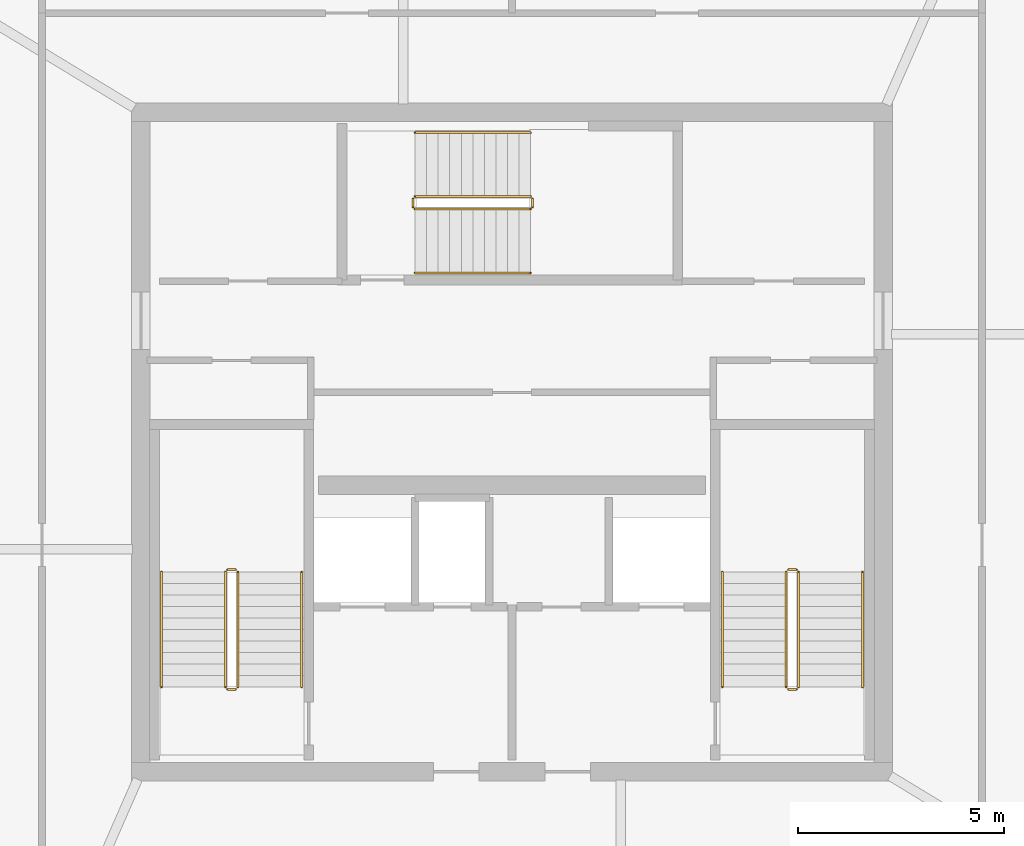
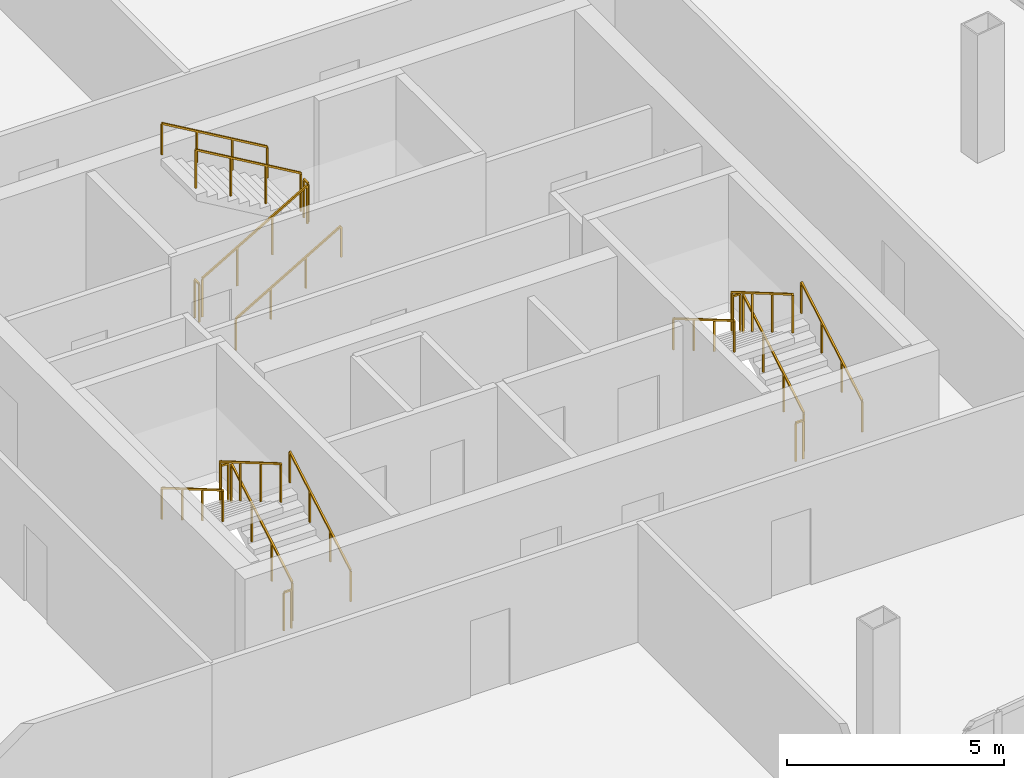
# One storey, part 17 of 17: 18 railings.
"""IFC4 building model written with IfcOpenShell, lengths in metres."""

from ifc_helpers import new_model, si_unit, direction, frame, origin, origin_2d, place, context, subcontext, project, spatial, rectangle, extrude, material, type_object, element, save


model = new_model("IFC4")

# Units and contexts
model_context = context("Model", 3, precision=1e-05, world=origin(), true_north=direction((0.0, 1.0)))
body_context = subcontext(model_context, "Body", "Model", "MODEL_VIEW")
ifc_project = project(units=[si_unit("LENGTHUNIT", "METRE"), si_unit("AREAUNIT", "SQUARE_METRE"), si_unit("VOLUMEUNIT", "CUBIC_METRE"), si_unit("PLANEANGLEUNIT", "RADIAN"), si_unit("MASSUNIT", "GRAM", prefix="KILO")], contexts=[model_context])

# Site, building, storey
site_placement = place(None, origin())
site = spatial("IfcSite", under=ifc_project, at=site_placement, CompositionType="ELEMENT")
building_placement = place(site_placement, origin())
building = spatial("IfcBuilding", under=site, at=building_placement, Name="Haldenkirk Collegiate Tower", CompositionType="ELEMENT")
storey_placement = place(building_placement, frame((0.0, 0.0, 364.199951171875)))
storey = spatial("IfcBuildingStorey", under=building, at=storey_placement, Name="L92", CompositionType="ELEMENT", Elevation=364.199951171875)

# Railings
ifc_material = material(Name="Painted architectural tubular steel", Category="steel")
railing_type_1 = type_object("IfcRailingType", Name="RLG-STAIR-GUARD-1100", PredefinedType="BALUSTRADE", material=ifc_material)
railing_1_placement = place(storey_placement, frame((29.35009765625, 20.050048828125, 0.16357421875)))
element("IfcRailing", 1, at=railing_1_placement, inside=storey, type_object=railing_type_1, Name="L92 ST-1 stair guard 1", PredefinedType="BALUSTRADE", context=body_context, shape_type="SweptSolid", body=[
    extrude(rectangle(XDim=0.048095703125, YDim=0.048095703125, at=origin_2d()), frame((0.0, 0.0, 1.076171875), z_axis=(0.0, 0.863360870873, 0.504586966384), x_axis=(-1.0, 0.0, 0.0)), (0.0, 0.0, 1.0), 3.2431640625),
    extrude(rectangle(XDim=0.0419921875, YDim=0.0419921875, at=origin_2d()), origin(), (0.0, 0.0, 1.0), 1.052001953125),
    extrude(rectangle(XDim=0.0419921875, YDim=0.0419921875, at=origin_2d()), frame((0.0, 0.933349609375, 0.54541015625)), (0.0, 0.0, 1.0), 1.052001953125),
    extrude(rectangle(XDim=0.0419921875, YDim=0.0419921875, at=origin_2d()), frame((0.0, 1.86669921875, 1.091064453125)), (0.0, 0.0, 1.0), 1.052001953125),
    extrude(rectangle(XDim=0.0419921875, YDim=0.0419921875, at=origin_2d()), frame((0.0, 2.800048828125, 1.636474609375)), (0.0, 0.0, 1.0), 1.052001953125),
])
railing_2_placement = place(storey_placement, frame((29.300048828125, 22.89990234375, 1.800048828125)))
element("IfcRailing", 2, at=railing_2_placement, inside=storey, type_object=railing_type_1, Name="L92 ST-1 stair guard 2", PredefinedType="BALUSTRADE", context=body_context, shape_type="SweptSolid", body=[
    extrude(rectangle(XDim=0.048095703125, YDim=0.048095703125, at=origin_2d()), frame((0.0, 0.0, 1.076171875), z_axis=(-1.0, 0.0, 0.0), x_axis=(0.0, -1.0, 0.0)), (0.0, 0.0, 1.0), 0.199951171875),
    extrude(rectangle(XDim=0.0419921875, YDim=0.0419921875, at=origin_2d()), origin(), (0.0, 0.0, 1.0), 1.052001953125),
    extrude(rectangle(XDim=0.0419921875, YDim=0.0419921875, at=origin_2d()), frame((-0.199951171875, 0.0, 0.0)), (0.0, 0.0, 1.0), 1.052001953125),
])
railing_3_placement = place(storey_placement, frame((29.050048828125, 22.85009765625, 1.963623046875)))
element("IfcRailing", 3, at=railing_3_placement, inside=storey, type_object=railing_type_1, Name="L92 ST-1 stair guard 3", PredefinedType="BALUSTRADE", context=body_context, shape_type="SweptSolid", body=[
    extrude(rectangle(XDim=0.048095703125, YDim=0.048095703125, at=origin_2d()), frame((0.0, 0.0, 1.076171875), z_axis=(0.0, -0.863360870873, 0.504586966384), x_axis=(1.0, 0.0, 0.0)), (0.0, 0.0, 1.0), 3.2431640625),
    extrude(rectangle(XDim=0.0419921875, YDim=0.0419921875, at=origin_2d()), origin(), (0.0, 0.0, 1.0), 1.052001953125),
    extrude(rectangle(XDim=0.0419921875, YDim=0.0419921875, at=origin_2d()), frame((0.0, -0.933349609375, 0.54541015625)), (0.0, 0.0, 1.0), 1.052001953125),
    extrude(rectangle(XDim=0.0419921875, YDim=0.0419921875, at=origin_2d()), frame((0.0, -1.86669921875, 1.091064453125)), (0.0, 0.0, 1.0), 1.052001953125),
    extrude(rectangle(XDim=0.0419921875, YDim=0.0419921875, at=origin_2d()), frame((0.0, -2.800048828125, 1.636474609375)), (0.0, 0.0, 1.0), 1.052001953125),
])
railing_4_placement = place(storey_placement, frame((29.300048828125, 20.0, 0.0)))
element("IfcRailing", 4, at=railing_4_placement, inside=storey, type_object=railing_type_1, Name="L92 ST-1 stair guard 4", PredefinedType="BALUSTRADE", context=body_context, shape_type="SweptSolid", body=[
    extrude(rectangle(XDim=0.048095703125, YDim=0.048095703125, at=origin_2d()), frame((0.0, 0.0, 1.076171875), z_axis=(-1.0, 0.0, 0.0), x_axis=(0.0, -1.0, 0.0)), (0.0, 0.0, 1.0), 0.199951171875),
    extrude(rectangle(XDim=0.0419921875, YDim=0.0419921875, at=origin_2d()), origin(), (0.0, 0.0, 1.0), 1.052001953125),
    extrude(rectangle(XDim=0.0419921875, YDim=0.0419921875, at=origin_2d()), frame((-0.199951171875, 0.0, 0.0)), (0.0, 0.0, 1.0), 1.052001953125),
])
railing_5_placement = place(storey_placement, frame((42.949951171875, 20.050048828125, 0.16357421875)))
element("IfcRailing", 5, at=railing_5_placement, inside=storey, type_object=railing_type_1, Name="L92 ST-2 stair guard 1", PredefinedType="BALUSTRADE", context=body_context, shape_type="SweptSolid", body=[
    extrude(rectangle(XDim=0.048095703125, YDim=0.048095703125, at=origin_2d()), frame((0.0, 0.0, 1.076171875), z_axis=(0.0, 0.863360870873, 0.504586966384), x_axis=(-1.0, 0.0, 0.0)), (0.0, 0.0, 1.0), 3.2431640625),
    extrude(rectangle(XDim=0.0419921875, YDim=0.0419921875, at=origin_2d()), origin(), (0.0, 0.0, 1.0), 1.052001953125),
    extrude(rectangle(XDim=0.0419921875, YDim=0.0419921875, at=origin_2d()), frame((0.0, 0.933349609375, 0.54541015625)), (0.0, 0.0, 1.0), 1.052001953125),
    extrude(rectangle(XDim=0.0419921875, YDim=0.0419921875, at=origin_2d()), frame((0.0, 1.86669921875, 1.091064453125)), (0.0, 0.0, 1.0), 1.052001953125),
    extrude(rectangle(XDim=0.0419921875, YDim=0.0419921875, at=origin_2d()), frame((0.0, 2.800048828125, 1.636474609375)), (0.0, 0.0, 1.0), 1.052001953125),
])
railing_6_placement = place(storey_placement, frame((42.89990234375, 22.89990234375, 1.800048828125)))
element("IfcRailing", 6, at=railing_6_placement, inside=storey, type_object=railing_type_1, Name="L92 ST-2 stair guard 2", PredefinedType="BALUSTRADE", context=body_context, shape_type="SweptSolid", body=[
    extrude(rectangle(XDim=0.048095703125, YDim=0.048095703125, at=origin_2d()), frame((0.0, 0.0, 1.076171875), z_axis=(-1.0, 0.0, 0.0), x_axis=(0.0, -1.0, 0.0)), (0.0, 0.0, 1.0), 0.199951171875),
    extrude(rectangle(XDim=0.0419921875, YDim=0.0419921875, at=origin_2d()), origin(), (0.0, 0.0, 1.0), 1.052001953125),
    extrude(rectangle(XDim=0.0419921875, YDim=0.0419921875, at=origin_2d()), frame((-0.199951171875, 0.0, 0.0)), (0.0, 0.0, 1.0), 1.052001953125),
])
railing_7_placement = place(storey_placement, frame((42.64990234375, 22.85009765625, 1.963623046875)))
element("IfcRailing", 7, at=railing_7_placement, inside=storey, type_object=railing_type_1, Name="L92 ST-2 stair guard 3", PredefinedType="BALUSTRADE", context=body_context, shape_type="SweptSolid", body=[
    extrude(rectangle(XDim=0.048095703125, YDim=0.048095703125, at=origin_2d()), frame((0.0, 0.0, 1.076171875), z_axis=(0.0, -0.863360870873, 0.504586966384), x_axis=(1.0, 0.0, 0.0)), (0.0, 0.0, 1.0), 3.2431640625),
    extrude(rectangle(XDim=0.0419921875, YDim=0.0419921875, at=origin_2d()), origin(), (0.0, 0.0, 1.0), 1.052001953125),
    extrude(rectangle(XDim=0.0419921875, YDim=0.0419921875, at=origin_2d()), frame((0.0, -0.933349609375, 0.54541015625)), (0.0, 0.0, 1.0), 1.052001953125),
    extrude(rectangle(XDim=0.0419921875, YDim=0.0419921875, at=origin_2d()), frame((0.0, -1.86669921875, 1.091064453125)), (0.0, 0.0, 1.0), 1.052001953125),
    extrude(rectangle(XDim=0.0419921875, YDim=0.0419921875, at=origin_2d()), frame((0.0, -2.800048828125, 1.636474609375)), (0.0, 0.0, 1.0), 1.052001953125),
])
railing_8_placement = place(storey_placement, frame((42.89990234375, 20.0, 0.0)))
element("IfcRailing", 8, at=railing_8_placement, inside=storey, type_object=railing_type_1, Name="L92 ST-2 stair guard 4", PredefinedType="BALUSTRADE", context=body_context, shape_type="SweptSolid", body=[
    extrude(rectangle(XDim=0.048095703125, YDim=0.048095703125, at=origin_2d()), frame((0.0, 0.0, 1.076171875), z_axis=(-1.0, 0.0, 0.0), x_axis=(0.0, -1.0, 0.0)), (0.0, 0.0, 1.0), 0.199951171875),
    extrude(rectangle(XDim=0.0419921875, YDim=0.0419921875, at=origin_2d()), origin(), (0.0, 0.0, 1.0), 1.052001953125),
    extrude(rectangle(XDim=0.0419921875, YDim=0.0419921875, at=origin_2d()), frame((-0.199951171875, 0.0, 0.0)), (0.0, 0.0, 1.0), 1.052001953125),
])
railing_9_placement = place(storey_placement, frame((33.64990234375, 31.64990234375, 0.16357421875)))
element("IfcRailing", 9, at=railing_9_placement, inside=storey, type_object=railing_type_1, Name="L92 ST-3 stair guard 1", PredefinedType="BALUSTRADE", context=body_context, shape_type="SweptSolid", body=[
    extrude(rectangle(XDim=0.048095703125, YDim=0.048095703125, at=origin_2d()), frame((0.0, 0.0, 1.076171875), z_axis=(0.863360870873, 0.0, 0.504586966384), x_axis=(0.0, 1.0, 0.0)), (0.0, 0.0, 1.0), 3.2431640625),
    extrude(rectangle(XDim=0.0419921875, YDim=0.0419921875, at=origin_2d()), origin(), (0.0, 0.0, 1.0), 1.052001953125),
    extrude(rectangle(XDim=0.0419921875, YDim=0.0419921875, at=origin_2d()), frame((0.933349609375, 0.0, 0.54541015625)), (0.0, 0.0, 1.0), 1.052001953125),
    extrude(rectangle(XDim=0.0419921875, YDim=0.0419921875, at=origin_2d()), frame((1.86669921875, 0.0, 1.091064453125)), (0.0, 0.0, 1.0), 1.052001953125),
    extrude(rectangle(XDim=0.0419921875, YDim=0.0419921875, at=origin_2d()), frame((2.800048828125, 0.0, 1.636474609375)), (0.0, 0.0, 1.0), 1.052001953125),
])
railing_10_placement = place(storey_placement, frame((36.5, 31.699951171875, 1.800048828125)))
element("IfcRailing", 10, at=railing_10_placement, inside=storey, type_object=railing_type_1, Name="L92 ST-3 stair guard 2", PredefinedType="BALUSTRADE", context=body_context, shape_type="SweptSolid", body=[
    extrude(rectangle(XDim=0.048095703125, YDim=0.048095703125, at=origin_2d()), frame((0.0, 0.0, 1.076171875), z_axis=(0.0, 1.0, 0.0), x_axis=(-1.0, 0.0, 0.0)), (0.0, 0.0, 1.0), 0.199951171875),
    extrude(rectangle(XDim=0.0419921875, YDim=0.0419921875, at=origin_2d()), origin(), (0.0, 0.0, 1.0), 1.052001953125),
    extrude(rectangle(XDim=0.0419921875, YDim=0.0419921875, at=origin_2d()), frame((0.0, 0.199951171875, 0.0)), (0.0, 0.0, 1.0), 1.052001953125),
])
railing_11_placement = place(storey_placement, frame((36.449951171875, 31.949951171875, 1.963623046875)))
element("IfcRailing", 11, at=railing_11_placement, inside=storey, type_object=railing_type_1, Name="L92 ST-3 stair guard 3", PredefinedType="BALUSTRADE", context=body_context, shape_type="SweptSolid", body=[
    extrude(rectangle(XDim=0.048095703125, YDim=0.048095703125, at=origin_2d()), frame((0.0, 0.0, 1.076171875), z_axis=(-0.863360870873, 0.0, 0.504586966384), x_axis=(0.0, -1.0, 0.0)), (0.0, 0.0, 1.0), 3.2431640625),
    extrude(rectangle(XDim=0.0419921875, YDim=0.0419921875, at=origin_2d()), origin(), (0.0, 0.0, 1.0), 1.052001953125),
    extrude(rectangle(XDim=0.0419921875, YDim=0.0419921875, at=origin_2d()), frame((-0.933349609375, 0.0, 0.54541015625)), (0.0, 0.0, 1.0), 1.052001953125),
    extrude(rectangle(XDim=0.0419921875, YDim=0.0419921875, at=origin_2d()), frame((-1.86669921875, 0.0, 1.091064453125)), (0.0, 0.0, 1.0), 1.052001953125),
    extrude(rectangle(XDim=0.0419921875, YDim=0.0419921875, at=origin_2d()), frame((-2.800048828125, 0.0, 1.636474609375)), (0.0, 0.0, 1.0), 1.052001953125),
])
railing_12_placement = place(storey_placement, frame((33.60009765625, 31.699951171875, 0.0)))
element("IfcRailing", 12, at=railing_12_placement, inside=storey, type_object=railing_type_1, Name="L92 ST-3 stair guard 4", PredefinedType="BALUSTRADE", context=body_context, shape_type="SweptSolid", body=[
    extrude(rectangle(XDim=0.048095703125, YDim=0.048095703125, at=origin_2d()), frame((0.0, 0.0, 1.076171875), z_axis=(0.0, 1.0, 0.0), x_axis=(-1.0, 0.0, 0.0)), (0.0, 0.0, 1.0), 0.199951171875),
    extrude(rectangle(XDim=0.0419921875, YDim=0.0419921875, at=origin_2d()), origin(), (0.0, 0.0, 1.0), 1.052001953125),
    extrude(rectangle(XDim=0.0419921875, YDim=0.0419921875, at=origin_2d()), frame((0.0, 0.199951171875, 0.0)), (0.0, 0.0, 1.0), 1.052001953125),
])
railing_type_2 = type_object("IfcRailingType", Name="RLG-STAIR-HANDRAIL-900", PredefinedType="HANDRAIL", material=ifc_material)
railing_13_placement = place(storey_placement, frame((30.89990234375, 20.050048828125, 0.16357421875)))
element("IfcRailing", 13, at=railing_13_placement, inside=storey, type_object=railing_type_2, Name="L92 ST-1 stair handrail 1", PredefinedType="HANDRAIL", context=body_context, shape_type="SweptSolid", body=[
    extrude(rectangle(XDim=0.048095703125, YDim=0.048095703125, at=origin_2d()), frame((0.0, 0.0, 0.8759765625), z_axis=(0.0, 0.863360870873, 0.504586966384), x_axis=(-1.0, 0.0, 0.0)), (0.0, 0.0, 1.0), 3.2431640625),
    extrude(rectangle(XDim=0.0419921875, YDim=0.0419921875, at=origin_2d()), origin(), (0.0, 0.0, 1.0), 0.851806640625),
    extrude(rectangle(XDim=0.0419921875, YDim=0.0419921875, at=origin_2d()), frame((0.0, 0.933349609375, 0.54541015625)), (0.0, 0.0, 1.0), 0.851806640625),
    extrude(rectangle(XDim=0.0419921875, YDim=0.0419921875, at=origin_2d()), frame((0.0, 1.86669921875, 1.091064453125)), (0.0, 0.0, 1.0), 0.851806640625),
    extrude(rectangle(XDim=0.0419921875, YDim=0.0419921875, at=origin_2d()), frame((0.0, 2.800048828125, 1.636474609375)), (0.0, 0.0, 1.0), 0.851806640625),
])
railing_14_placement = place(storey_placement, frame((27.5, 22.85009765625, 1.963623046875)))
element("IfcRailing", 14, at=railing_14_placement, inside=storey, type_object=railing_type_2, Name="L92 ST-1 stair handrail 2", PredefinedType="HANDRAIL", context=body_context, shape_type="SweptSolid", body=[
    extrude(rectangle(XDim=0.048095703125, YDim=0.048095703125, at=origin_2d()), frame((0.0, 0.0, 0.8759765625), z_axis=(0.0, -0.863360870873, 0.504586966384), x_axis=(1.0, 0.0, 0.0)), (0.0, 0.0, 1.0), 3.2431640625),
    extrude(rectangle(XDim=0.0419921875, YDim=0.0419921875, at=origin_2d()), origin(), (0.0, 0.0, 1.0), 0.851806640625),
    extrude(rectangle(XDim=0.0419921875, YDim=0.0419921875, at=origin_2d()), frame((0.0, -0.933349609375, 0.54541015625)), (0.0, 0.0, 1.0), 0.851806640625),
    extrude(rectangle(XDim=0.0419921875, YDim=0.0419921875, at=origin_2d()), frame((0.0, -1.86669921875, 1.091064453125)), (0.0, 0.0, 1.0), 0.851806640625),
    extrude(rectangle(XDim=0.0419921875, YDim=0.0419921875, at=origin_2d()), frame((0.0, -2.800048828125, 1.636474609375)), (0.0, 0.0, 1.0), 0.851806640625),
])
railing_15_placement = place(storey_placement, frame((44.5, 20.050048828125, 0.16357421875)))
element("IfcRailing", 15, at=railing_15_placement, inside=storey, type_object=railing_type_2, Name="L92 ST-2 stair handrail 1", PredefinedType="HANDRAIL", context=body_context, shape_type="SweptSolid", body=[
    extrude(rectangle(XDim=0.048095703125, YDim=0.048095703125, at=origin_2d()), frame((0.0, 0.0, 0.8759765625), z_axis=(0.0, 0.863360870873, 0.504586966384), x_axis=(-1.0, 0.0, 0.0)), (0.0, 0.0, 1.0), 3.2431640625),
    extrude(rectangle(XDim=0.0419921875, YDim=0.0419921875, at=origin_2d()), origin(), (0.0, 0.0, 1.0), 0.851806640625),
    extrude(rectangle(XDim=0.0419921875, YDim=0.0419921875, at=origin_2d()), frame((0.0, 0.933349609375, 0.54541015625)), (0.0, 0.0, 1.0), 0.851806640625),
    extrude(rectangle(XDim=0.0419921875, YDim=0.0419921875, at=origin_2d()), frame((0.0, 1.86669921875, 1.091064453125)), (0.0, 0.0, 1.0), 0.851806640625),
    extrude(rectangle(XDim=0.0419921875, YDim=0.0419921875, at=origin_2d()), frame((0.0, 2.800048828125, 1.636474609375)), (0.0, 0.0, 1.0), 0.851806640625),
])
railing_16_placement = place(storey_placement, frame((41.10009765625, 22.85009765625, 1.963623046875)))
element("IfcRailing", 16, at=railing_16_placement, inside=storey, type_object=railing_type_2, Name="L92 ST-2 stair handrail 2", PredefinedType="HANDRAIL", context=body_context, shape_type="SweptSolid", body=[
    extrude(rectangle(XDim=0.048095703125, YDim=0.048095703125, at=origin_2d()), frame((0.0, 0.0, 0.8759765625), z_axis=(0.0, -0.863360870873, 0.504586966384), x_axis=(1.0, 0.0, 0.0)), (0.0, 0.0, 1.0), 3.2431640625),
    extrude(rectangle(XDim=0.0419921875, YDim=0.0419921875, at=origin_2d()), origin(), (0.0, 0.0, 1.0), 0.851806640625),
    extrude(rectangle(XDim=0.0419921875, YDim=0.0419921875, at=origin_2d()), frame((0.0, -0.933349609375, 0.54541015625)), (0.0, 0.0, 1.0), 0.851806640625),
    extrude(rectangle(XDim=0.0419921875, YDim=0.0419921875, at=origin_2d()), frame((0.0, -1.86669921875, 1.091064453125)), (0.0, 0.0, 1.0), 0.851806640625),
    extrude(rectangle(XDim=0.0419921875, YDim=0.0419921875, at=origin_2d()), frame((0.0, -2.800048828125, 1.636474609375)), (0.0, 0.0, 1.0), 0.851806640625),
])
railing_17_placement = place(storey_placement, frame((33.64990234375, 30.10009765625, 0.16357421875)))
element("IfcRailing", 17, at=railing_17_placement, inside=storey, type_object=railing_type_2, Name="L92 ST-3 stair handrail 1", PredefinedType="HANDRAIL", context=body_context, shape_type="SweptSolid", body=[
    extrude(rectangle(XDim=0.048095703125, YDim=0.048095703125, at=origin_2d()), frame((0.0, 0.0, 0.8759765625), z_axis=(0.863360870873, 0.0, 0.504586966384), x_axis=(0.0, 1.0, 0.0)), (0.0, 0.0, 1.0), 3.2431640625),
    extrude(rectangle(XDim=0.0419921875, YDim=0.0419921875, at=origin_2d()), origin(), (0.0, 0.0, 1.0), 0.851806640625),
    extrude(rectangle(XDim=0.0419921875, YDim=0.0419921875, at=origin_2d()), frame((0.933349609375, 0.0, 0.54541015625)), (0.0, 0.0, 1.0), 0.851806640625),
    extrude(rectangle(XDim=0.0419921875, YDim=0.0419921875, at=origin_2d()), frame((1.86669921875, 0.0, 1.091064453125)), (0.0, 0.0, 1.0), 0.851806640625),
    extrude(rectangle(XDim=0.0419921875, YDim=0.0419921875, at=origin_2d()), frame((2.800048828125, 0.0, 1.636474609375)), (0.0, 0.0, 1.0), 0.851806640625),
])
railing_18_placement = place(storey_placement, frame((36.449951171875, 33.5, 1.963623046875)))
element("IfcRailing", 18, at=railing_18_placement, inside=storey, type_object=railing_type_2, Name="L92 ST-3 stair handrail 2", PredefinedType="HANDRAIL", context=body_context, shape_type="SweptSolid", body=[
    extrude(rectangle(XDim=0.048095703125, YDim=0.048095703125, at=origin_2d()), frame((0.0, 0.0, 0.8759765625), z_axis=(-0.863360870873, 0.0, 0.504586966384), x_axis=(0.0, -1.0, 0.0)), (0.0, 0.0, 1.0), 3.2431640625),
    extrude(rectangle(XDim=0.0419921875, YDim=0.0419921875, at=origin_2d()), origin(), (0.0, 0.0, 1.0), 0.851806640625),
    extrude(rectangle(XDim=0.0419921875, YDim=0.0419921875, at=origin_2d()), frame((-0.933349609375, 0.0, 0.54541015625)), (0.0, 0.0, 1.0), 0.851806640625),
    extrude(rectangle(XDim=0.0419921875, YDim=0.0419921875, at=origin_2d()), frame((-1.86669921875, 0.0, 1.091064453125)), (0.0, 0.0, 1.0), 0.851806640625),
    extrude(rectangle(XDim=0.0419921875, YDim=0.0419921875, at=origin_2d()), frame((-2.800048828125, 0.0, 1.636474609375)), (0.0, 0.0, 1.0), 0.851806640625),
])

save(model, "model.ifc")
